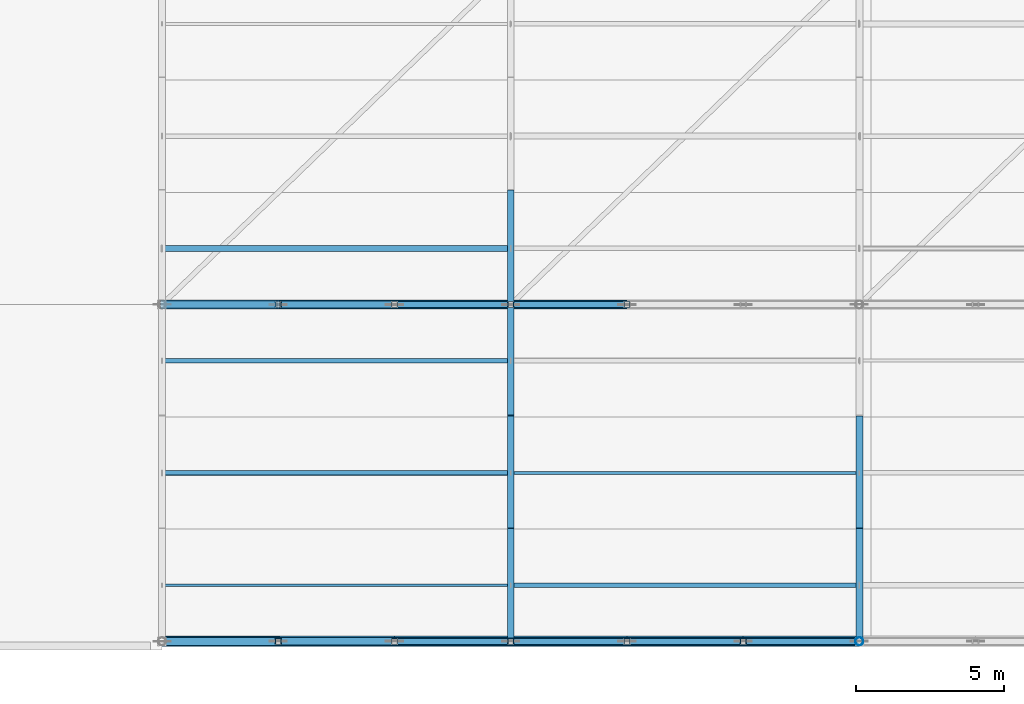
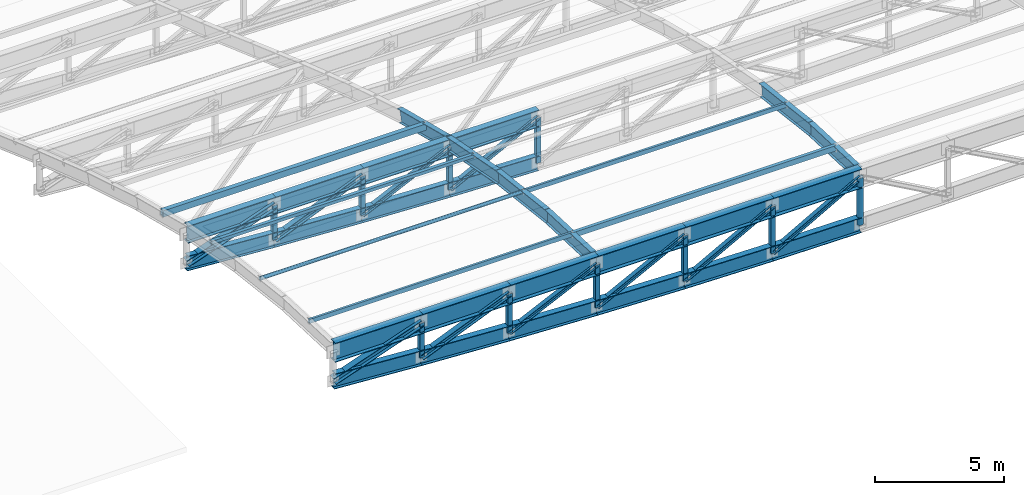
# One storey, part 7 of 65: 32 members, 20 beams.
"""IFC4 building model written with IfcOpenShell, lengths in metres."""

from ifc_helpers import new_model, si_unit, direction, frame, origin, origin_2d, place, context, subcontext, project, spatial, hollow_rectangle, hollow_circle, i_section, extrude, material, material_profile, profile_set, type_object, element, save


model = new_model("IFC4")

# Units and contexts
model_context = context("Model", 3, precision=1e-05, world=origin(), true_north=direction((0.0, 1.0)))
body_context = subcontext(model_context, "Body", "Model", "MODEL_VIEW")
ifc_project = project(units=[si_unit("LENGTHUNIT", "METRE"), si_unit("AREAUNIT", "SQUARE_METRE"), si_unit("VOLUMEUNIT", "CUBIC_METRE"), si_unit("PLANEANGLEUNIT", "RADIAN"), si_unit("MASSUNIT", "GRAM", prefix="KILO"), si_unit("POWERUNIT", "WATT"), si_unit("THERMODYNAMICTEMPERATUREUNIT", "KELVIN")], contexts=[model_context])

# Site, building, storey
site_placement = place(None, origin())
site = spatial("IfcSite", under=ifc_project, at=site_placement, CompositionType="ELEMENT")
building_placement = place(site_placement, origin())
building = spatial("IfcBuilding", under=site, at=building_placement, Name="Kelmbourne Parkland Aquatics Centre", CompositionType="ELEMENT")
storey_placement = place(building_placement, frame((0.0, 0.0, 27.0)))
storey = spatial("IfcBuildingStorey", under=building, at=storey_placement, Name="RF", CompositionType="ELEMENT", Elevation=27.0)

# Members
ifc_material_1 = material(Name="Structural steel AS/NZS 3679.1 Grade 300", Category="steel")
ifc_material_profile_1 = material_profile(ifc_material_1, i_section(OverallWidth=0.306884765625, OverallDepth=0.31494140625, WebThickness=0.011962890625, FlangeThickness=0.018798828125, at=origin_2d()), Name="310UC118")
ifc_profile_set_1 = profile_set([ifc_material_profile_1], Name="Structural steel AS/NZS 3679.1 Grade 300")
member_type_1 = type_object("IfcMemberType", Name="MB-DIAG1", PredefinedType="STRUT", material=ifc_profile_set_1)
for number, where, z_axis, x_axis, name in (
    (1, (128.0, 0.800048828125, -2.199951171875), (0.943617957768, 0.0, 0.331036478015), (0.0, 1.0, 0.0), "Roof truss R00 web diagonal 1"),
    (2, (128.0, 12.199951171875, -3.53076171875), (0.943617957768, 0.0, 0.331036478015), (0.0, 1.0, 0.0), "Roof truss R01 web diagonal 1"),
):
    element("IfcMember", number, at=place(storey_placement, frame(where, z_axis=z_axis, x_axis=x_axis)), inside=storey, type_object=member_type_1, Name=name, PredefinedType="STRUT", context=body_context, shape_type="SweptSolid", body=[
        extrude(i_section(OverallWidth=0.306884765625, OverallDepth=0.31494140625, WebThickness=0.011962890625, FlangeThickness=0.018798828125, at=origin_2d()), origin(), (0.0, 0.0, 1.0), 4.16845703125),
    ])
ifc_material_profile_2 = material_profile(ifc_material_1, i_section(OverallWidth=0.256103515625, OverallDepth=0.260009765625, WebThickness=0.010498046875, FlangeThickness=0.017333984375, at=origin_2d()), Name="250UC89.5")
ifc_profile_set_2 = profile_set([ifc_material_profile_2], Name="Structural steel AS/NZS 3679.1 Grade 300")
member_type_2 = type_object("IfcMemberType", Name="MB-DIAG2", PredefinedType="STRUT", material=ifc_profile_set_2)
for number, where, z_axis, x_axis, name in (
    (3, (131.933349609375, 0.800048828125, -2.459716796875), (0.923014195881, 0.0, 0.384765895322), (0.0, 1.0, 0.0), "Roof truss R00 web diagonal 2"),
    (4, (131.933349609375, 12.199951171875, -3.79052734375), (0.923014195881, 0.0, 0.384765895322), (0.0, 1.0, 0.0), "Roof truss R01 web diagonal 2"),
):
    element("IfcMember", number, at=place(storey_placement, frame(where, z_axis=z_axis, x_axis=x_axis)), inside=storey, type_object=member_type_2, Name=name, PredefinedType="STRUT", context=body_context, shape_type="SweptSolid", body=[
        extrude(i_section(OverallWidth=0.256103515625, OverallDepth=0.260009765625, WebThickness=0.010498046875, FlangeThickness=0.017333984375, at=origin_2d()), origin(), (0.0, 0.0, 1.0), 4.261474609375),
    ])
ifc_material_profile_3 = material_profile(ifc_material_1, i_section(OverallWidth=0.205078125, OverallDepth=0.2099609375, WebThickness=0.00927734375, FlangeThickness=0.01416015625, at=origin_2d()), Name="200UC59.5")
ifc_profile_set_3 = profile_set([ifc_material_profile_3], Name="Structural steel AS/NZS 3679.1 Grade 300")
member_type_3 = type_object("IfcMemberType", Name="MB-DIAG3", PredefinedType="STRUT", material=ifc_profile_set_3)
member_1_placement = place(storey_placement, frame((135.86669921875, 0.800048828125, -2.672119140625), z_axis=(0.904724503936, 0.0, 0.425997150199), x_axis=(0.0, 1.0, 0.0)))
element("IfcMember", 5, at=member_1_placement, inside=storey, type_object=member_type_3, Name="Roof truss R00 web diagonal 3", PredefinedType="STRUT", context=body_context, shape_type="SweptSolid", body=[
    extrude(i_section(OverallWidth=0.205078125, OverallDepth=0.2099609375, WebThickness=0.00927734375, FlangeThickness=0.01416015625, at=origin_2d()), origin(), (0.0, 0.0, 1.0), 4.34765625),
])
member_2_placement = place(storey_placement, frame((139.800048828125, 0.800048828125, -2.83740234375), z_axis=(0.889796186707, 0.0, 0.456358133621), x_axis=(0.0, 1.0, 0.0)))
element("IfcMember", 6, at=member_2_placement, inside=storey, type_object=member_type_3, Name="Roof truss R00 web diagonal 4", PredefinedType="STRUT", context=body_context, shape_type="SweptSolid", body=[
    extrude(i_section(OverallWidth=0.205078125, OverallDepth=0.2099609375, WebThickness=0.00927734375, FlangeThickness=0.01416015625, at=origin_2d()), origin(), (0.0, 0.0, 1.0), 4.42041015625),
])
member_3_placement = place(storey_placement, frame((143.7333984375, 0.800048828125, -2.95556640625), z_axis=(0.878829905293, 0.0, 0.477135198411), x_axis=(0.0, 1.0, 0.0)))
element("IfcMember", 7, at=member_3_placement, inside=storey, type_object=member_type_3, Name="Roof truss R00 web diagonal 5", PredefinedType="STRUT", context=body_context, shape_type="SweptSolid", body=[
    extrude(i_section(OverallWidth=0.205078125, OverallDepth=0.2099609375, WebThickness=0.00927734375, FlangeThickness=0.01416015625, at=origin_2d()), origin(), (0.0, 0.0, 1.0), 4.4755859375),
])
member_4_placement = place(storey_placement, frame((147.666748046875, 0.800048828125, -3.0263671875), z_axis=(0.872163322486, 0.0, 0.489214818776), x_axis=(0.0, 1.0, 0.0)))
element("IfcMember", 8, at=member_4_placement, inside=storey, type_object=member_type_3, Name="Roof truss R00 web diagonal 6", PredefinedType="STRUT", context=body_context, shape_type="SweptSolid", body=[
    extrude(i_section(OverallWidth=0.205078125, OverallDepth=0.2099609375, WebThickness=0.00927734375, FlangeThickness=0.01416015625, at=origin_2d()), origin(), (0.0, 0.0, 1.0), 4.509765625),
])
member_5_placement = place(storey_placement, frame((135.86669921875, 12.199951171875, -4.0029296875), z_axis=(0.904724503936, 0.0, 0.425997150199), x_axis=(0.0, 1.0, 0.0)))
element("IfcMember", 9, at=member_5_placement, inside=storey, type_object=member_type_3, Name="Roof truss R01 web diagonal 3", PredefinedType="STRUT", context=body_context, shape_type="SweptSolid", body=[
    extrude(i_section(OverallWidth=0.205078125, OverallDepth=0.2099609375, WebThickness=0.00927734375, FlangeThickness=0.01416015625, at=origin_2d()), origin(), (0.0, 0.0, 1.0), 4.34765625),
])
member_6_placement = place(storey_placement, frame((139.800048828125, 12.199951171875, -4.168212890625), z_axis=(0.889796186707, 0.0, 0.456358133621), x_axis=(0.0, 1.0, 0.0)))
element("IfcMember", 10, at=member_6_placement, inside=storey, type_object=member_type_3, Name="Roof truss R01 web diagonal 4", PredefinedType="STRUT", context=body_context, shape_type="SweptSolid", body=[
    extrude(i_section(OverallWidth=0.205078125, OverallDepth=0.2099609375, WebThickness=0.00927734375, FlangeThickness=0.01416015625, at=origin_2d()), origin(), (0.0, 0.0, 1.0), 4.42041015625),
])
ifc_material_profile_4 = material_profile(ifc_material_1, i_section(OverallWidth=0.22900390625, OverallDepth=0.612060546875, WebThickness=0.011962890625, FlangeThickness=0.01953125, at=origin_2d()), Name="610UB125")
ifc_profile_set_4 = profile_set([ifc_material_profile_4], Name="Structural steel AS/NZS 3679.1 Grade 300")
member_type_4 = type_object("IfcMemberType", Name="MB-LRIB", PredefinedType="STRUT", material=ifc_profile_set_4)
member_7_placement = place(storey_placement, frame((139.800048828125, 0.800048828125, -0.699951171875), z_axis=(0.0, 0.999192218412, -0.040185951091), x_axis=(-1.0, 0.0, 0.0)))
element("IfcMember", 11, at=member_7_placement, inside=storey, type_object=member_type_4, Name="Longitudinal wave rib K3 strip 01", PredefinedType="STRUT", context=body_context, shape_type="SweptSolid", body=[
    extrude(i_section(OverallWidth=0.22900390625, OverallDepth=0.612060546875, WebThickness=0.011962890625, FlangeThickness=0.01953125, at=origin_2d()), origin(), (0.0, 0.0, 1.0), 3.80322265625),
])
member_8_placement = place(storey_placement, frame((139.800048828125, 4.60009765625, -0.852783203125), z_axis=(0.0, 0.993017132062, -0.117970231122), x_axis=(-1.0, 0.0, 0.0)))
element("IfcMember", 12, at=member_8_placement, inside=storey, type_object=member_type_4, Name="Longitudinal wave rib K3 strip 02", PredefinedType="STRUT", context=body_context, shape_type="SweptSolid", body=[
    extrude(i_section(OverallWidth=0.22900390625, OverallDepth=0.612060546875, WebThickness=0.011962890625, FlangeThickness=0.01953125, at=origin_2d()), origin(), (0.0, 0.0, 1.0), 3.826416015625),
])
member_9_placement = place(storey_placement, frame((139.800048828125, 8.39990234375, -1.30419921875), z_axis=(0.0, 0.982207978327, -0.187796398555), x_axis=(-1.0, 0.0, 0.0)))
element("IfcMember", 13, at=member_9_placement, inside=storey, type_object=member_type_4, Name="Longitudinal wave rib K3 strip 03", PredefinedType="STRUT", context=body_context, shape_type="SweptSolid", body=[
    extrude(i_section(OverallWidth=0.22900390625, OverallDepth=0.612060546875, WebThickness=0.011962890625, FlangeThickness=0.01953125, at=origin_2d()), origin(), (0.0, 0.0, 1.0), 3.868896484375),
])
member_10_placement = place(storey_placement, frame((139.800048828125, 12.199951171875, -2.03076171875), z_axis=(0.0, 0.96918642233, -0.246328396193), x_axis=(-1.0, 0.0, 0.0)))
element("IfcMember", 14, at=member_10_placement, inside=storey, type_object=member_type_4, Name="Longitudinal wave rib K3 strip 04", PredefinedType="STRUT", context=body_context, shape_type="SweptSolid", body=[
    extrude(i_section(OverallWidth=0.22900390625, OverallDepth=0.612060546875, WebThickness=0.011962890625, FlangeThickness=0.01953125, at=origin_2d()), origin(), (0.0, 0.0, 1.0), 3.9208984375),
])
member_11_placement = place(storey_placement, frame((151.60009765625, 0.800048828125, -0.699951171875), z_axis=(0.0, 0.999192218412, -0.040185951091), x_axis=(-1.0, 0.0, 0.0)))
element("IfcMember", 15, at=member_11_placement, inside=storey, type_object=member_type_4, Name="Longitudinal wave rib K6 strip 01", PredefinedType="STRUT", context=body_context, shape_type="SweptSolid", body=[
    extrude(i_section(OverallWidth=0.22900390625, OverallDepth=0.612060546875, WebThickness=0.011962890625, FlangeThickness=0.01953125, at=origin_2d()), origin(), (0.0, 0.0, 1.0), 3.80322265625),
])
member_12_placement = place(storey_placement, frame((151.60009765625, 4.60009765625, -0.852783203125), z_axis=(0.0, 0.993017132062, -0.117970231122), x_axis=(-1.0, 0.0, 0.0)))
element("IfcMember", 16, at=member_12_placement, inside=storey, type_object=member_type_4, Name="Longitudinal wave rib K6 strip 02", PredefinedType="STRUT", context=body_context, shape_type="SweptSolid", body=[
    extrude(i_section(OverallWidth=0.22900390625, OverallDepth=0.612060546875, WebThickness=0.011962890625, FlangeThickness=0.01953125, at=origin_2d()), origin(), (0.0, 0.0, 1.0), 3.826416015625),
])
ifc_material_2 = material(Name="Cold-formed hollow steel AS/NZS 1163 C350L0", Category="steel")
ifc_material_profile_5 = material_profile(ifc_material_2, hollow_rectangle(XDim=0.199951171875, YDim=0.199951171875, WallThickness=0.010009765625, at=origin_2d()), Name="SHS 200x200x10.0")
ifc_profile_set_5 = profile_set([ifc_material_profile_5], Name="Cold-formed hollow steel AS/NZS 1163 C350L0")
member_type_5 = type_object("IfcMemberType", Name="MB-POST1", PredefinedType="STRUT", material=ifc_profile_set_5)
member_13_placement = place(storey_placement, frame((131.933349609375, 0.800048828125, -2.459716796875), z_axis=(0.0, 0.0, 1.0), x_axis=(1.0, 0.0, 0.0)))
element("IfcMember", 17, at=member_13_placement, inside=storey, type_object=member_type_5, Name="Roof truss R00 vertical post 1", PredefinedType="STRUT", context=body_context, shape_type="SweptSolid", body=[
    extrude(hollow_rectangle(XDim=0.199951171875, YDim=0.199951171875, WallThickness=0.010009765625, at=origin_2d()), origin(), (0.0, 0.0, 1.0), 1.6396484375),
])
member_14_placement = place(storey_placement, frame((135.86669921875, 0.800048828125, -2.672119140625), z_axis=(0.0, 0.0, 1.0), x_axis=(1.0, 0.0, 0.0)))
element("IfcMember", 18, at=member_14_placement, inside=storey, type_object=member_type_5, Name="Roof truss R00 vertical post 2", PredefinedType="STRUT", context=body_context, shape_type="SweptSolid", body=[
    extrude(hollow_rectangle(XDim=0.199951171875, YDim=0.199951171875, WallThickness=0.010009765625, at=origin_2d()), origin(), (0.0, 0.0, 1.0), 1.85205078125),
])
member_15_placement = place(storey_placement, frame((139.800048828125, 0.800048828125, -2.83740234375), z_axis=(0.0, 0.0, 1.0), x_axis=(1.0, 0.0, 0.0)))
element("IfcMember", 19, at=member_15_placement, inside=storey, type_object=member_type_5, Name="Roof truss R00 vertical post 3", PredefinedType="STRUT", context=body_context, shape_type="SweptSolid", body=[
    extrude(hollow_rectangle(XDim=0.199951171875, YDim=0.199951171875, WallThickness=0.010009765625, at=origin_2d()), origin(), (0.0, 0.0, 1.0), 2.017333984375),
])
member_16_placement = place(storey_placement, frame((143.7333984375, 0.800048828125, -2.95556640625), z_axis=(0.0, 0.0, 1.0), x_axis=(1.0, 0.0, 0.0)))
element("IfcMember", 20, at=member_16_placement, inside=storey, type_object=member_type_5, Name="Roof truss R00 vertical post 4", PredefinedType="STRUT", context=body_context, shape_type="SweptSolid", body=[
    extrude(hollow_rectangle(XDim=0.199951171875, YDim=0.199951171875, WallThickness=0.010009765625, at=origin_2d()), origin(), (0.0, 0.0, 1.0), 2.135498046875),
])
member_17_placement = place(storey_placement, frame((147.666748046875, 0.800048828125, -3.0263671875), z_axis=(0.0, 0.0, 1.0), x_axis=(1.0, 0.0, 0.0)))
element("IfcMember", 21, at=member_17_placement, inside=storey, type_object=member_type_5, Name="Roof truss R00 vertical post 5", PredefinedType="STRUT", context=body_context, shape_type="SweptSolid", body=[
    extrude(hollow_rectangle(XDim=0.199951171875, YDim=0.199951171875, WallThickness=0.010009765625, at=origin_2d()), origin(), (0.0, 0.0, 1.0), 2.206298828125),
])
member_18_placement = place(storey_placement, frame((131.933349609375, 12.199951171875, -3.79052734375), z_axis=(0.0, 0.0, 1.0), x_axis=(1.0, 0.0, 0.0)))
element("IfcMember", 22, at=member_18_placement, inside=storey, type_object=member_type_5, Name="Roof truss R01 vertical post 1", PredefinedType="STRUT", context=body_context, shape_type="SweptSolid", body=[
    extrude(hollow_rectangle(XDim=0.199951171875, YDim=0.199951171875, WallThickness=0.010009765625, at=origin_2d()), origin(), (0.0, 0.0, 1.0), 1.6396484375),
])
member_19_placement = place(storey_placement, frame((135.86669921875, 12.199951171875, -4.0029296875), z_axis=(0.0, 0.0, 1.0), x_axis=(1.0, 0.0, 0.0)))
element("IfcMember", 23, at=member_19_placement, inside=storey, type_object=member_type_5, Name="Roof truss R01 vertical post 2", PredefinedType="STRUT", context=body_context, shape_type="SweptSolid", body=[
    extrude(hollow_rectangle(XDim=0.199951171875, YDim=0.199951171875, WallThickness=0.010009765625, at=origin_2d()), origin(), (0.0, 0.0, 1.0), 1.85205078125),
])
member_20_placement = place(storey_placement, frame((139.800048828125, 12.199951171875, -4.168212890625), z_axis=(0.0, 0.0, 1.0), x_axis=(1.0, 0.0, 0.0)))
element("IfcMember", 24, at=member_20_placement, inside=storey, type_object=member_type_5, Name="Roof truss R01 vertical post 3", PredefinedType="STRUT", context=body_context, shape_type="SweptSolid", body=[
    extrude(hollow_rectangle(XDim=0.199951171875, YDim=0.199951171875, WallThickness=0.010009765625, at=origin_2d()), origin(), (0.0, 0.0, 1.0), 2.017333984375),
])
member_21_placement = place(storey_placement, frame((143.7333984375, 12.199951171875, -4.286376953125), z_axis=(0.0, 0.0, 1.0), x_axis=(1.0, 0.0, 0.0)))
element("IfcMember", 25, at=member_21_placement, inside=storey, type_object=member_type_5, Name="Roof truss R01 vertical post 4", PredefinedType="STRUT", context=body_context, shape_type="SweptSolid", body=[
    extrude(hollow_rectangle(XDim=0.199951171875, YDim=0.199951171875, WallThickness=0.010009765625, at=origin_2d()), origin(), (0.0, 0.0, 1.0), 2.135498046875),
])
ifc_material_profile_6 = material_profile(ifc_material_2, hollow_circle(Radius=0.136474609375, WallThickness=0.00927734375, at=origin_2d()), Name="CHS 273.1x9.3")
ifc_profile_set_6 = profile_set([ifc_material_profile_6], Name="Cold-formed hollow steel AS/NZS 1163 C350L0")
member_type_6 = type_object("IfcMemberType", Name="MB-POST2", PredefinedType="STRUT", material=ifc_profile_set_6)
member_22_placement = place(storey_placement, frame((151.60009765625, 0.800048828125, -3.050048828125), z_axis=(0.0, 0.0, 1.0), x_axis=(1.0, 0.0, 0.0)))
element("IfcMember", 26, at=member_22_placement, inside=storey, type_object=member_type_6, Name="Roof truss R00 vertical post 6", PredefinedType="STRUT", context=body_context, shape_type="SweptSolid", body=[
    extrude(hollow_circle(Radius=0.136474609375, WallThickness=0.00927734375, at=origin_2d()), origin(), (0.0, 0.0, 1.0), 2.22998046875),
])
ifc_material_profile_7 = material_profile(ifc_material_2, hollow_rectangle(XDim=0.10009765625, YDim=0.199951171875, WallThickness=0.006103515625, at=origin_2d()), Name="RHS 200x100x6.0")
ifc_profile_set_7 = profile_set([ifc_material_profile_7], Name="Cold-formed hollow steel AS/NZS 1163 C350L0")
member_type_7 = type_object("IfcMemberType", Name="MB-PUR1", PredefinedType="PURLIN", material=ifc_profile_set_7)
for number, where, z_axis, x_axis, name in (
    (27, (128.0, 2.699951171875, -0.56640625), (1.0, 0.0, 0.0), (0.0, 1.0, 0.0), "Wave roof purlin S01-G1"),
    (28, (139.800048828125, 6.5, -0.868408203125), (1.0, 0.0, 0.0), (0.0, 1.0, 0.0), "Wave roof purlin S02-G2"),
):
    element("IfcMember", number, at=place(storey_placement, frame(where, z_axis=z_axis, x_axis=x_axis)), inside=storey, type_object=member_type_7, Name=name, PredefinedType="PURLIN", context=body_context, shape_type="SweptSolid", body=[
        extrude(hollow_rectangle(XDim=0.10009765625, YDim=0.199951171875, WallThickness=0.006103515625, at=origin_2d()), origin(), (0.0, 0.0, 1.0), 11.800048828125),
    ])
ifc_material_profile_8 = material_profile(ifc_material_2, hollow_rectangle(XDim=0.14990234375, YDim=0.25, WallThickness=0.009033203125, at=origin_2d()), Name="RHS 250x150x9.0")
ifc_profile_set_8 = profile_set([ifc_material_profile_8], Name="Cold-formed hollow steel AS/NZS 1163 C350L0")
member_type_8 = type_object("IfcMemberType", Name="MB-PUR2", PredefinedType="PURLIN", material=ifc_profile_set_8)
member_23_placement = place(storey_placement, frame((139.800048828125, 2.699951171875, -0.591552734375), z_axis=(1.0, 0.0, 0.0), x_axis=(0.0, 1.0, 0.0)))
element("IfcMember", 29, at=member_23_placement, inside=storey, type_object=member_type_8, Name="Wave roof purlin S01-G2", PredefinedType="PURLIN", context=body_context, shape_type="SweptSolid", body=[
    extrude(hollow_rectangle(XDim=0.14990234375, YDim=0.25, WallThickness=0.009033203125, at=origin_2d()), origin(), (0.0, 0.0, 1.0), 11.800048828125),
])
ifc_material_profile_9 = material_profile(ifc_material_2, hollow_rectangle(XDim=0.199951171875, YDim=0.300048828125, WallThickness=0.010009765625, at=origin_2d()), Name="RHS 300x200x10.0")
ifc_profile_set_9 = profile_set([ifc_material_profile_9], Name="Cold-formed hollow steel AS/NZS 1163 C350L0")
member_type_9 = type_object("IfcMemberType", Name="MB-PUR3", PredefinedType="PURLIN", material=ifc_profile_set_9)
member_24_placement = place(storey_placement, frame((128.0, 14.10009765625, -2.353759765625), z_axis=(1.0, 0.0, 0.0), x_axis=(0.0, 1.0, 0.0)))
element("IfcMember", 30, at=member_24_placement, inside=storey, type_object=member_type_9, Name="Wave roof purlin S04-G1", PredefinedType="PURLIN", context=body_context, shape_type="SweptSolid", body=[
    extrude(hollow_rectangle(XDim=0.199951171875, YDim=0.300048828125, WallThickness=0.010009765625, at=origin_2d()), origin(), (0.0, 0.0, 1.0), 11.800048828125),
])
ifc_material_profile_10 = material_profile(ifc_material_2, hollow_rectangle(XDim=0.14990234375, YDim=0.14990234375, WallThickness=0.009033203125, at=origin_2d()), Name="SHS 150x150x9.0")
ifc_profile_set_10 = profile_set([ifc_material_profile_10], Name="Cold-formed hollow steel AS/NZS 1163 C350L0")
member_type_10 = type_object("IfcMemberType", Name="MB-PUR4", PredefinedType="PURLIN", material=ifc_profile_set_10)
member_25_placement = place(storey_placement, frame((128.0, 10.300048828125, -1.432373046875), z_axis=(1.0, 0.0, 0.0), x_axis=(0.0, 1.0, 0.0)))
element("IfcMember", 31, at=member_25_placement, inside=storey, type_object=member_type_10, Name="Wave roof purlin S03-G1", PredefinedType="PURLIN", context=body_context, shape_type="SweptSolid", body=[
    extrude(hollow_rectangle(XDim=0.14990234375, YDim=0.14990234375, WallThickness=0.009033203125, at=origin_2d()), origin(), (0.0, 0.0, 1.0), 11.800048828125),
])
ifc_material_profile_11 = material_profile(ifc_material_2, hollow_circle(Radius=0.084228515625, WallThickness=0.007080078125, at=origin_2d()), Name="CHS 168.3x7.1")
ifc_profile_set_11 = profile_set([ifc_material_profile_11], Name="Cold-formed hollow steel AS/NZS 1163 C350L0")
member_type_11 = type_object("IfcMemberType", Name="MB-PUR5", PredefinedType="PURLIN", material=ifc_profile_set_11)
member_26_placement = place(storey_placement, frame((128.0, 6.5, -0.852783203125), z_axis=(1.0, 0.0, 0.0), x_axis=(0.0, 1.0, 0.0)))
element("IfcMember", 32, at=member_26_placement, inside=storey, type_object=member_type_11, Name="Wave roof purlin S02-G1", PredefinedType="PURLIN", context=body_context, shape_type="SweptSolid", body=[
    extrude(hollow_circle(Radius=0.084228515625, WallThickness=0.007080078125, at=origin_2d()), origin(), (0.0, 0.0, 1.0), 11.800048828125),
])

# Beams
ifc_material_3 = material(Name="Welded plate steel AS/NZS 3678 Grade 350", Category="steel")
ifc_material_profile_12 = material_profile(ifc_material_3, i_section(OverallWidth=0.27490234375, OverallDepth=0.716064453125, WebThickness=0.011962890625, FlangeThickness=0.02490234375, at=origin_2d()), Name="700WB173")
ifc_profile_set_12 = profile_set([ifc_material_profile_12], Name="Welded plate steel AS/NZS 3678 Grade 350")
beam_type_1 = type_object("IfcBeamType", Name="TR-BC1", PredefinedType="BEAM", material=ifc_profile_set_12)
beam_1_placement = place(storey_placement, frame((128.0, 0.800048828125, -2.199951171875), z_axis=(0.997826345785, 0.0, -0.065898282659), x_axis=(0.0, 1.0, 0.0)))
element("IfcBeam", 33, at=beam_1_placement, inside=storey, type_object=beam_type_1, Name="Roof truss R00 bottom chord 1", PredefinedType="BEAM", context=body_context, shape_type="SweptSolid", body=[
    extrude(i_section(OverallWidth=0.27490234375, OverallDepth=0.716064453125, WebThickness=0.011962890625, FlangeThickness=0.02490234375, at=origin_2d()), origin(), (0.0, 0.0, 1.0), 3.94189453125),
])
beam_2_placement = place(storey_placement, frame((131.933349609375, 0.800048828125, -2.459716796875), z_axis=(0.998545160894, 0.0, -0.053921810563), x_axis=(0.0, 1.0, 0.0)))
element("IfcBeam", 34, at=beam_2_placement, inside=storey, type_object=beam_type_1, Name="Roof truss R00 bottom chord 2", PredefinedType="BEAM", context=body_context, shape_type="SweptSolid", body=[
    extrude(i_section(OverallWidth=0.27490234375, OverallDepth=0.716064453125, WebThickness=0.011962890625, FlangeThickness=0.02490234375, at=origin_2d()), origin(), (0.0, 0.0, 1.0), 3.93896484375),
])
beam_3_placement = place(storey_placement, frame((135.86669921875, 0.800048828125, -2.672119140625), z_axis=(0.999118286144, 0.0, -0.041983928975), x_axis=(0.0, 1.0, 0.0)))
element("IfcBeam", 35, at=beam_3_placement, inside=storey, type_object=beam_type_1, Name="Roof truss R00 bottom chord 3", PredefinedType="BEAM", context=body_context, shape_type="SweptSolid", body=[
    extrude(i_section(OverallWidth=0.27490234375, OverallDepth=0.716064453125, WebThickness=0.011962890625, FlangeThickness=0.02490234375, at=origin_2d()), origin(), (0.0, 0.0, 1.0), 3.936767578125),
])
beam_4_placement = place(storey_placement, frame((139.800048828125, 0.800048828125, -2.83740234375), z_axis=(0.999549056749, 0.0, -0.030028039443), x_axis=(0.0, 1.0, 0.0)))
element("IfcBeam", 36, at=beam_4_placement, inside=storey, type_object=beam_type_1, Name="Roof truss R00 bottom chord 4", PredefinedType="BEAM", context=body_context, shape_type="SweptSolid", body=[
    extrude(i_section(OverallWidth=0.27490234375, OverallDepth=0.716064453125, WebThickness=0.011962890625, FlangeThickness=0.02490234375, at=origin_2d()), origin(), (0.0, 0.0, 1.0), 3.93505859375),
])
beam_5_placement = place(storey_placement, frame((143.7333984375, 0.800048828125, -2.95556640625), z_axis=(0.999838037122, 0.0, -0.017997208787), x_axis=(0.0, 1.0, 0.0)))
element("IfcBeam", 37, at=beam_5_placement, inside=storey, type_object=beam_type_1, Name="Roof truss R00 bottom chord 5", PredefinedType="BEAM", context=body_context, shape_type="SweptSolid", body=[
    extrude(i_section(OverallWidth=0.27490234375, OverallDepth=0.716064453125, WebThickness=0.011962890625, FlangeThickness=0.02490234375, at=origin_2d()), origin(), (0.0, 0.0, 1.0), 3.93408203125),
])
beam_6_placement = place(storey_placement, frame((147.666748046875, 0.800048828125, -3.0263671875), z_axis=(0.999981875891, 0.0, -0.006020622057), x_axis=(0.0, 1.0, 0.0)))
element("IfcBeam", 38, at=beam_6_placement, inside=storey, type_object=beam_type_1, Name="Roof truss R00 bottom chord 6", PredefinedType="BEAM", context=body_context, shape_type="SweptSolid", body=[
    extrude(i_section(OverallWidth=0.27490234375, OverallDepth=0.716064453125, WebThickness=0.011962890625, FlangeThickness=0.02490234375, at=origin_2d()), origin(), (0.0, 0.0, 1.0), 3.933349609375),
])
ifc_material_profile_13 = material_profile(ifc_material_3, i_section(OverallWidth=0.25, OverallDepth=0.699951171875, WebThickness=0.010009765625, FlangeThickness=0.02001953125, at=origin_2d()), Name="700WB130")
ifc_profile_set_13 = profile_set([ifc_material_profile_13], Name="Welded plate steel AS/NZS 3678 Grade 350")
beam_type_2 = type_object("IfcBeamType", Name="TR-BC2", PredefinedType="BEAM", material=ifc_profile_set_13)
beam_7_placement = place(storey_placement, frame((128.0, 12.199951171875, -3.53076171875), z_axis=(0.997826345785, 0.0, -0.065898282659), x_axis=(0.0, 1.0, 0.0)))
element("IfcBeam", 39, at=beam_7_placement, inside=storey, type_object=beam_type_2, Name="Roof truss R01 bottom chord 1", PredefinedType="BEAM", context=body_context, shape_type="SweptSolid", body=[
    extrude(i_section(OverallWidth=0.25, OverallDepth=0.699951171875, WebThickness=0.010009765625, FlangeThickness=0.02001953125, at=origin_2d()), origin(), (0.0, 0.0, 1.0), 3.94189453125),
])
beam_8_placement = place(storey_placement, frame((131.933349609375, 12.199951171875, -3.79052734375), z_axis=(0.998545160894, 0.0, -0.053921810563), x_axis=(0.0, 1.0, 0.0)))
element("IfcBeam", 40, at=beam_8_placement, inside=storey, type_object=beam_type_2, Name="Roof truss R01 bottom chord 2", PredefinedType="BEAM", context=body_context, shape_type="SweptSolid", body=[
    extrude(i_section(OverallWidth=0.25, OverallDepth=0.699951171875, WebThickness=0.010009765625, FlangeThickness=0.02001953125, at=origin_2d()), origin(), (0.0, 0.0, 1.0), 3.93896484375),
])
beam_9_placement = place(storey_placement, frame((135.86669921875, 12.199951171875, -4.0029296875), z_axis=(0.999118286144, 0.0, -0.041983928975), x_axis=(0.0, 1.0, 0.0)))
element("IfcBeam", 41, at=beam_9_placement, inside=storey, type_object=beam_type_2, Name="Roof truss R01 bottom chord 3", PredefinedType="BEAM", context=body_context, shape_type="SweptSolid", body=[
    extrude(i_section(OverallWidth=0.25, OverallDepth=0.699951171875, WebThickness=0.010009765625, FlangeThickness=0.02001953125, at=origin_2d()), origin(), (0.0, 0.0, 1.0), 3.936767578125),
])
beam_10_placement = place(storey_placement, frame((139.800048828125, 12.199951171875, -4.168212890625), z_axis=(0.999549056749, 0.0, -0.030028039443), x_axis=(0.0, 1.0, 0.0)))
element("IfcBeam", 42, at=beam_10_placement, inside=storey, type_object=beam_type_2, Name="Roof truss R01 bottom chord 4", PredefinedType="BEAM", context=body_context, shape_type="SweptSolid", body=[
    extrude(i_section(OverallWidth=0.25, OverallDepth=0.699951171875, WebThickness=0.010009765625, FlangeThickness=0.02001953125, at=origin_2d()), origin(), (0.0, 0.0, 1.0), 3.93505859375),
])
ifc_material_profile_14 = material_profile(ifc_material_3, i_section(OverallWidth=0.35009765625, OverallDepth=0.909912109375, WebThickness=0.011962890625, FlangeThickness=0.02490234375, at=origin_2d()), Name="900WB218")
ifc_profile_set_14 = profile_set([ifc_material_profile_14], Name="Welded plate steel AS/NZS 3678 Grade 350")
beam_type_3 = type_object("IfcBeamType", Name="TR-TC1", PredefinedType="BEAM", material=ifc_profile_set_14)
for number, where, z_axis, x_axis, name in (
    (43, (128.0, 0.800048828125, -0.820068359375), (1.0, 0.0, 0.0), (0.0, 1.0, 0.0), "Roof truss R00 top chord 1"),
    (44, (131.933349609375, 0.800048828125, -0.820068359375), (1.0, 0.0, 0.0), (0.0, 1.0, 0.0), "Roof truss R00 top chord 2"),
    (45, (135.86669921875, 0.800048828125, -0.820068359375), (1.0, 0.0, 0.0), (0.0, 1.0, 0.0), "Roof truss R00 top chord 3"),
    (46, (139.800048828125, 0.800048828125, -0.820068359375), (1.0, 0.0, 0.0), (0.0, 1.0, 0.0), "Roof truss R00 top chord 4"),
    (47, (143.7333984375, 0.800048828125, -0.820068359375), (1.0, 0.0, 0.0), (0.0, 1.0, 0.0), "Roof truss R00 top chord 5"),
    (48, (147.666748046875, 0.800048828125, -0.820068359375), (1.0, 0.0, 0.0), (0.0, 1.0, 0.0), "Roof truss R00 top chord 6"),
):
    element("IfcBeam", number, at=place(storey_placement, frame(where, z_axis=z_axis, x_axis=x_axis)), inside=storey, type_object=beam_type_3, Name=name, PredefinedType="BEAM", context=body_context, shape_type="SweptSolid", body=[
        extrude(i_section(OverallWidth=0.35009765625, OverallDepth=0.909912109375, WebThickness=0.011962890625, FlangeThickness=0.02490234375, at=origin_2d()), origin(), (0.0, 0.0, 1.0), 3.933349609375),
    ])
ifc_material_profile_15 = material_profile(ifc_material_3, i_section(OverallWidth=0.300048828125, OverallDepth=0.81591796875, WebThickness=0.011962890625, FlangeThickness=0.028076171875, at=origin_2d()), Name="800WB192")
ifc_profile_set_15 = profile_set([ifc_material_profile_15], Name="Welded plate steel AS/NZS 3678 Grade 350")
beam_type_4 = type_object("IfcBeamType", Name="TR-TC2", PredefinedType="BEAM", material=ifc_profile_set_15)
for number, where, z_axis, x_axis, name in (
    (49, (128.0, 12.199951171875, -2.15087890625), (1.0, 0.0, 0.0), (0.0, 1.0, 0.0), "Roof truss R01 top chord 1"),
    (50, (131.933349609375, 12.199951171875, -2.15087890625), (1.0, 0.0, 0.0), (0.0, 1.0, 0.0), "Roof truss R01 top chord 2"),
    (51, (135.86669921875, 12.199951171875, -2.15087890625), (1.0, 0.0, 0.0), (0.0, 1.0, 0.0), "Roof truss R01 top chord 3"),
    (52, (139.800048828125, 12.199951171875, -2.15087890625), (1.0, 0.0, 0.0), (0.0, 1.0, 0.0), "Roof truss R01 top chord 4"),
):
    element("IfcBeam", number, at=place(storey_placement, frame(where, z_axis=z_axis, x_axis=x_axis)), inside=storey, type_object=beam_type_4, Name=name, PredefinedType="BEAM", context=body_context, shape_type="SweptSolid", body=[
        extrude(i_section(OverallWidth=0.300048828125, OverallDepth=0.81591796875, WebThickness=0.011962890625, FlangeThickness=0.028076171875, at=origin_2d()), origin(), (0.0, 0.0, 1.0), 3.933349609375),
    ])

save(model, "model.ifc")
